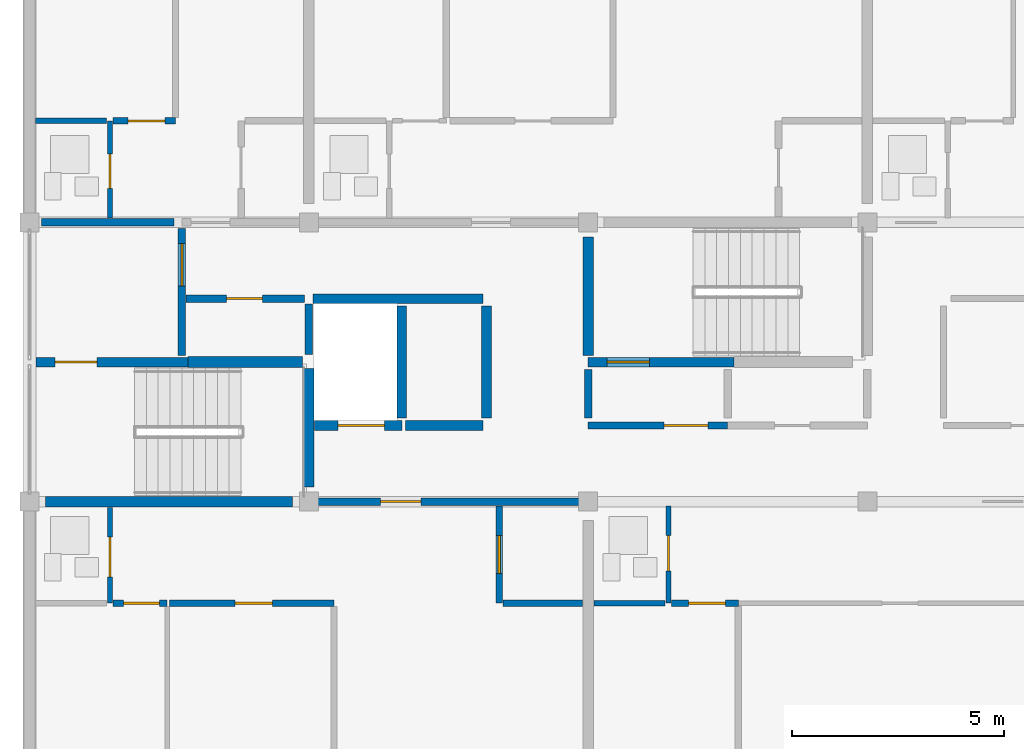
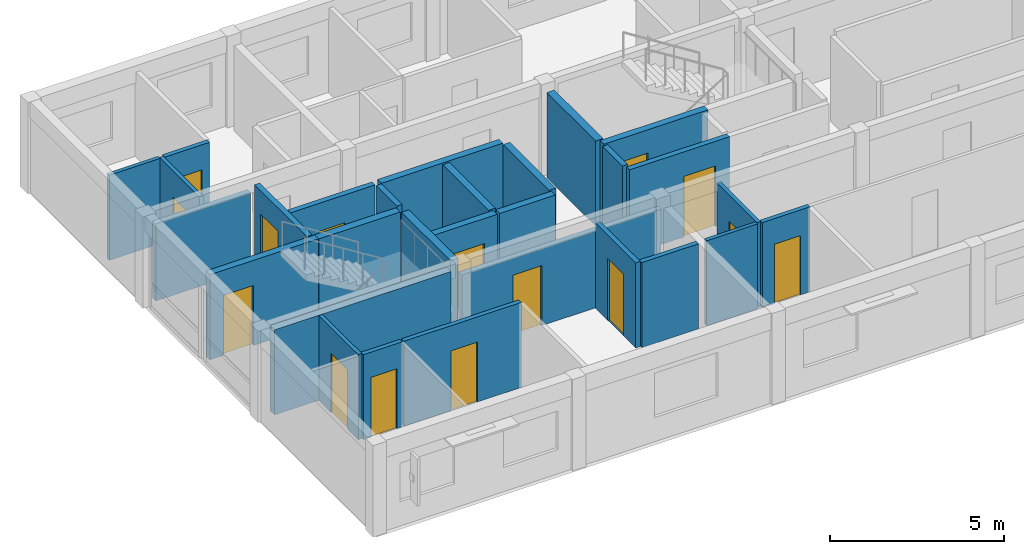
# One storey, part 9 of 22: 29 walls, 15 doors, 15 openings.
"""IFC4 building model written with IfcOpenShell, lengths in metres."""

from ifc_helpers import new_model, si_unit, direction, frame, frame_2d, origin, place, context, subcontext, project, spatial, rectangle, extrude, material, layer, layer_set, type_object, element, fill, save


model = new_model("IFC4")

# Units and contexts
model_context = context("Model", 3, precision=1e-05, world=origin(), true_north=direction((0.0, 1.0)))
body_context = subcontext(model_context, "Body", "Model", "MODEL_VIEW")
ifc_project = project(units=[si_unit("LENGTHUNIT", "METRE"), si_unit("AREAUNIT", "SQUARE_METRE"), si_unit("VOLUMEUNIT", "CUBIC_METRE"), si_unit("PLANEANGLEUNIT", "RADIAN"), si_unit("MASSUNIT", "GRAM", prefix="KILO")], contexts=[model_context])

# Site, building, storey
site_placement = place(None, origin())
site = spatial("IfcSite", under=ifc_project, at=site_placement, CompositionType="ELEMENT")
building_placement = place(site_placement, origin())
building = spatial("IfcBuilding", under=site, at=building_placement, Name="Kernevlak Ridge Housing Community", CompositionType="ELEMENT")
storey_placement = place(building_placement, frame((0.0, 0.0, 43.60009765625)))
storey = spatial("IfcBuildingStorey", under=building, at=storey_placement, Name="L13", CompositionType="ELEMENT", Elevation=43.60009765625)

# Wall, opening, door
ifc_material_1 = material(Name="Concrete C35/45", Category="concrete")
ifc_layer_1 = layer(ifc_material_1, 0.22509765625, Name="Concrete C35/45")
ifc_layer_set_1 = layer_set([ifc_layer_1], Name="Concrete C35/45")
wall_type_1 = type_object("IfcWallType", Name="PW-01", PredefinedType="STANDARD", material=ifc_layer_set_1)
wall_1_placement = place(storey_placement, frame((15.75, 85.89990234375, 0.0), z_axis=(0.0, 0.0, 1.0), x_axis=(1.0, 0.0, 0.0)))
wall_1 = element("IfcWall", 1, at=wall_1_placement, inside=storey, type_object=wall_type_1, Name="Interior wall PW-01 WAL-INT-L13-0819", PredefinedType="STANDARD", context=body_context, shape_type="SweptSolid", body=[
    extrude(rectangle(XDim=3.60009765625, YDim=0.22509765625, at=frame_2d((1.800048828125, 0.0))), origin(), (0.0, 0.0, 1.0), 2.97998046875),
])
opening_1_placement = place(wall_1_placement, frame((0.449951171875, 0.0, 0.0)))
opening_1 = element("IfcOpeningElement", 2, at=opening_1_placement, cuts=wall_1, Name="Opening D415", PredefinedType="OPENING", context=body_context, shape_type="SweptSolid", body=[
    extrude(rectangle(XDim=1.0, YDim=2.10009765625, at=frame_2d((0.5, 1.050048828125))), frame((0.0, 0.12255859375, 0.0), z_axis=(0.0, -1.0, 0.0), x_axis=(1.0, 0.0, 0.0)), (0.0, 0.0, 1.0), 0.2451171875),
])
ifc_material_2 = material(Name="Fire-rated sheet steel leaf", Category="steel")
door_type_1 = type_object("IfcDoorType", Name="DT-05", OperationType="NOTDEFINED", PredefinedType="DOOR", material=ifc_material_2)
door_1_placement = place(opening_1_placement, origin())
door_1 = element("IfcDoor", 3, at=door_1_placement, inside=storey, type_object=door_type_1, Name="Block A Stair 1 fire door D415", OperationType="SINGLE_SWING_LEFT", OverallHeight=2.10009765625, OverallWidth=1.0, PredefinedType="DOOR", context=body_context, shape_type="SweptSolid", body=[
    extrude(rectangle(XDim=1.0, YDim=2.10009765625, at=frame_2d((0.5, 1.050048828125))), frame((0.0, 0.02490234375, 0.0), z_axis=(0.0, -1.0, 0.0), x_axis=(1.0, 0.0, 0.0)), (0.0, 0.0, 1.0), 0.050048828125),
])
fill(opening_1, door_1)

wall_2_placement = place(storey_placement, frame((22.3349609375, 84.39990234375, 0.0), z_axis=(0.0, 0.0, 1.0), x_axis=(1.0, 0.0, 0.0)))
wall_2 = element("IfcWall", 4, at=wall_2_placement, inside=storey, type_object=wall_type_1, Name="Interior wall PW-01 WAL-INT-L13-0823", PredefinedType="STANDARD", context=body_context, shape_type="SweptSolid", body=[
    extrude(rectangle(XDim=2.06494140625, YDim=0.22509765625, at=frame_2d((1.032470703125, 0.0))), origin(), (0.0, 0.0, 1.0), 2.97998046875),
])
opening_2_placement = place(wall_2_placement, frame((0.550048828125, 0.0, 0.0)))
opening_2 = element("IfcOpeningElement", 5, at=opening_2_placement, cuts=wall_2, Name="Opening LD24", PredefinedType="OPENING", context=body_context, shape_type="SweptSolid", body=[
    extrude(rectangle(XDim=1.10009765625, YDim=2.10009765625, at=frame_2d((0.550048828125, 1.050048828125))), frame((0.0, 0.12255859375, 0.0), z_axis=(0.0, -1.0, 0.0), x_axis=(1.0, 0.0, 0.0)), (0.0, 0.0, 1.0), 0.2451171875),
])
ifc_material_3 = material(Name="Stainless steel EN 1.4401", Category="steel")
door_type_2 = type_object("IfcDoorType", Name="DT-LD1", OperationType="DOUBLE_DOOR_SLIDING", PredefinedType="DOOR", material=ifc_material_3)
door_2_placement = place(opening_2_placement, origin())
door_2 = element("IfcDoor", 6, at=door_2_placement, inside=storey, type_object=door_type_2, Name="Lift LF-A1 landing door LD24", OperationType="DOUBLE_DOOR_SLIDING", OverallHeight=2.10009765625, OverallWidth=1.10009765625, PredefinedType="DOOR", context=body_context, shape_type="SweptSolid", body=[
    extrude(rectangle(XDim=1.10009765625, YDim=2.10009765625, at=frame_2d((0.550048828125, 1.050048828125))), frame((0.0, 0.02490234375, 0.0), z_axis=(0.0, -1.0, 0.0), x_axis=(1.0, 0.0, 0.0)), (0.0, 0.0, 1.0), 0.050048828125),
])
fill(opening_2, door_2)

# Walls
wall_3_placement = place(storey_placement, frame((24.47998046875, 84.39990234375, 0.0), z_axis=(0.0, 0.0, 1.0), x_axis=(1.0, 0.0, 0.0)))
element("IfcWall", 7, at=wall_3_placement, inside=storey, type_object=wall_type_1, Name="Interior wall PW-01 WAL-INT-L13-0824", PredefinedType="STANDARD", context=body_context, shape_type="SweptSolid", body=[
    extrude(rectangle(XDim=1.840087890625, YDim=0.22509765625, at=frame_2d((0.919921875, 0.0))), origin(), (0.0, 0.0, 1.0), 2.97998046875),
])
wall_4_placement = place(storey_placement, frame((22.297607421875, 87.39990234375, 0.0), z_axis=(0.0, 0.0, 1.0), x_axis=(1.0, 0.0, 0.0)))
element("IfcWall", 8, at=wall_4_placement, inside=storey, type_object=wall_type_1, Name="Interior wall PW-01 WAL-INT-L13-0825", PredefinedType="STANDARD", context=body_context, shape_type="SweptSolid", body=[
    extrude(rectangle(XDim=4.0224609375, YDim=0.22509765625, at=frame_2d((2.01123046875, 0.0))), origin(), (0.0, 0.0, 1.0), 2.97998046875),
])
for number, where, z_axis, x_axis, name in (
    (9, (24.39990234375, 84.580078125, 0.0), (0.0, 0.0, 1.0), (0.0, 1.0, 0.0), "Interior wall PW-01 WAL-INT-L13-0827"),
    (10, (26.39990234375, 84.580078125, 0.0), (0.0, 0.0, 1.0), (0.0, 1.0, 0.0), "Interior wall PW-01 WAL-INT-L13-0828"),
):
    element("IfcWall", number, at=place(storey_placement, frame(where, z_axis=z_axis, x_axis=x_axis)), inside=storey, type_object=wall_type_1, Name=name, PredefinedType="STANDARD", context=body_context, shape_type="SweptSolid", body=[
        extrude(rectangle(XDim=2.639892578125, YDim=0.22509765625, at=frame_2d((1.31982421875, 0.0))), origin(), (0.0, 0.0, 1.0), 2.97998046875),
    ])

# Wall, opening, door
wall_5_placement = place(storey_placement, frame((28.800048828125, 85.89990234375, 0.0), z_axis=(0.0, 0.0, 1.0), x_axis=(1.0, 0.0, 0.0)))
wall_5 = element("IfcWall", 11, at=wall_5_placement, inside=storey, type_object=wall_type_1, Name="Interior wall PW-01 WAL-INT-L13-0829", PredefinedType="STANDARD", context=body_context, shape_type="SweptSolid", body=[
    extrude(rectangle(XDim=3.449951171875, YDim=0.22509765625, at=frame_2d((1.72509765625, 0.0))), origin(), (0.0, 0.0, 1.0), 2.97998046875),
])
opening_3_placement = place(wall_5_placement, frame((0.449951171875, 0.0, 0.0)))
opening_3 = element("IfcOpeningElement", 12, at=opening_3_placement, cuts=wall_5, Name="Opening D418", PredefinedType="OPENING", context=body_context, shape_type="SweptSolid", body=[
    extrude(rectangle(XDim=1.0, YDim=2.159912109375, at=frame_2d((0.5, 1.080078125))), frame((0.0, 0.12255859375, 0.0), z_axis=(0.0, -1.0, 0.0), x_axis=(1.0, 0.0, 0.0)), (0.0, 0.0, 1.0), 0.2451171875),
])
door_type_3 = type_object("IfcDoorType", Name="DT-15", OperationType="NOTDEFINED", PredefinedType="DOOR", material=ifc_material_2)
door_3_placement = place(opening_3_placement, origin())
door_3 = element("IfcDoor", 13, at=door_3_placement, inside=storey, type_object=door_type_3, Name="Block A Stair 2 fire door D418", OperationType="SINGLE_SWING_RIGHT", OverallHeight=2.159912109375, OverallWidth=1.0, PredefinedType="DOOR", context=body_context, shape_type="SweptSolid", body=[
    extrude(rectangle(XDim=1.0, YDim=2.159912109375, at=frame_2d((0.5, 1.080078125))), frame((0.0, 0.02490234375, 0.0), z_axis=(0.0, -1.0, 0.0), x_axis=(1.0, 0.0, 0.0)), (0.0, 0.0, 1.0), 0.050048828125),
])
fill(opening_3, door_3)

ifc_material_4 = material(Name="Concrete block masonry M10", Category="masonry")
ifc_layer_2 = layer(ifc_material_4, 0.175048828125, Name="Concrete block masonry M10")
ifc_layer_set_2 = layer_set([ifc_layer_2], Name="Concrete block masonry M10")
wall_type_2 = type_object("IfcWallType", Name="PW-02", PredefinedType="PARTITIONING", material=ifc_layer_set_2)
wall_6_placement = place(storey_placement, frame((19.199951171875, 86.050048828125, 0.0), z_axis=(0.0, 0.0, 1.0), x_axis=(0.0, 1.0, 0.0)))
wall_6 = element("IfcWall", 14, at=wall_6_placement, inside=storey, type_object=wall_type_2, Name="Interior wall PW-02 WAL-INT-L13-0820", PredefinedType="PARTITIONING", context=body_context, shape_type="SweptSolid", body=[
    extrude(rectangle(XDim=3.0, YDim=0.175048828125, at=frame_2d((1.5, 0.0))), origin(), (0.0, 0.0, 1.0), 2.97998046875),
])
opening_4_placement = place(wall_6_placement, frame((1.64990234375, 0.0, 0.0)))
opening_4 = element("IfcOpeningElement", 15, at=opening_4_placement, cuts=wall_6, Name="Opening D416", PredefinedType="OPENING", context=body_context, shape_type="SweptSolid", body=[
    extrude(rectangle(XDim=1.0, YDim=2.159912109375, at=frame_2d((0.5, 1.080078125))), frame((0.0, 0.097412109375, 0.0), z_axis=(0.0, -1.0, 0.0), x_axis=(1.0, 0.0, 0.0)), (0.0, 0.0, 1.0), 0.195068359375),
])
door_4_placement = place(opening_4_placement, origin())
door_4 = element("IfcDoor", 16, at=door_4_placement, inside=storey, type_object=door_type_3, Name="Block A Firefighting lobby 1 door D416", OperationType="SINGLE_SWING_RIGHT", OverallHeight=2.159912109375, OverallWidth=1.0, PredefinedType="DOOR", context=body_context, shape_type="SweptSolid", body=[
    extrude(rectangle(XDim=1.0, YDim=2.159912109375, at=frame_2d((0.5, 1.080078125))), frame((0.0, 0.02490234375, 0.0), z_axis=(0.0, -1.0, 0.0), x_axis=(1.0, 0.0, 0.0)), (0.0, 0.0, 1.0), 0.050048828125),
])
fill(opening_4, door_4)

wall_7_placement = place(storey_placement, frame((19.300048828125, 87.39990234375, 0.0), z_axis=(0.0, 0.0, 1.0), x_axis=(1.0, 0.0, 0.0)))
wall_7 = element("IfcWall", 17, at=wall_7_placement, inside=storey, type_object=wall_type_2, Name="Interior wall PW-02 WAL-INT-L13-0821", PredefinedType="PARTITIONING", context=body_context, shape_type="SweptSolid", body=[
    extrude(rectangle(XDim=2.800048828125, YDim=0.175048828125, at=frame_2d((1.39990234375, 0.0))), origin(), (0.0, 0.0, 1.0), 2.97998046875),
])
opening_5_placement = place(wall_7_placement, frame((0.949951171875, 0.0, 0.0)))
opening_5 = element("IfcOpeningElement", 18, at=opening_5_placement, cuts=wall_7, Name="Opening D417", PredefinedType="OPENING", context=body_context, shape_type="SweptSolid", body=[
    extrude(rectangle(XDim=0.85009765625, YDim=2.0, at=frame_2d((0.425048828125, 1.0))), frame((0.0, 0.097412109375, 0.0), z_axis=(0.0, -1.0, 0.0), x_axis=(1.0, 0.0, 0.0)), (0.0, 0.0, 1.0), 0.195068359375),
])
door_type_4 = type_object("IfcDoorType", Name="DT-07", OperationType="NOTDEFINED", PredefinedType="DOOR", material=ifc_material_2)
door_5_placement = place(opening_5_placement, origin())
door_5 = element("IfcDoor", 19, at=door_5_placement, inside=storey, type_object=door_type_4, Name="Block A Riser shaft door D417", OperationType="SINGLE_SWING_LEFT", OverallHeight=2.0, OverallWidth=0.85009765625, PredefinedType="DOOR", context=body_context, shape_type="SweptSolid", body=[
    extrude(rectangle(XDim=0.85009765625, YDim=2.0, at=frame_2d((0.425048828125, 1.0))), frame((0.0, 0.02490234375, 0.0), z_axis=(0.0, -1.0, 0.0), x_axis=(1.0, 0.0, 0.0)), (0.0, 0.0, 1.0), 0.050048828125),
])
fill(opening_5, door_5)

# Wall
wall_8_placement = place(storey_placement, frame((22.199951171875, 86.080078125, 0.0), z_axis=(0.0, 0.0, 1.0), x_axis=(0.0, 1.0, 0.0)))
element("IfcWall", 20, at=wall_8_placement, inside=storey, type_object=wall_type_2, Name="Interior wall PW-02 WAL-INT-L13-0822", PredefinedType="PARTITIONING", context=body_context, shape_type="SweptSolid", body=[
    extrude(rectangle(XDim=1.18994140625, YDim=0.175048828125, at=frame_2d((0.594970703125, 0.0))), origin(), (0.0, 0.0, 1.0), 2.97998046875),
])

# Wall, opening, door
wall_9_placement = place(storey_placement, frame((28.800048828125, 84.39990234375, 0.0), z_axis=(0.0, 0.0, 1.0), x_axis=(1.0, 0.0, 0.0)))
wall_9 = element("IfcWall", 21, at=wall_9_placement, inside=storey, type_object=wall_type_2, Name="Interior wall PW-02 WAL-INT-L13-0830", PredefinedType="PARTITIONING", context=body_context, shape_type="SweptSolid", body=[
    extrude(rectangle(XDim=3.300048828125, YDim=0.175048828125, at=frame_2d((1.64990234375, 0.0))), origin(), (0.0, 0.0, 1.0), 2.97998046875),
])
opening_6_placement = place(wall_9_placement, frame((1.800048828125, 0.0, 0.0)))
opening_6 = element("IfcOpeningElement", 22, at=opening_6_placement, cuts=wall_9, Name="Opening D419", PredefinedType="OPENING", context=body_context, shape_type="SweptSolid", body=[
    extrude(rectangle(XDim=1.0400390625, YDim=2.1201171875, at=frame_2d((0.52001953125, 1.06005859375))), frame((0.0, 0.097412109375, 0.0), z_axis=(0.0, -1.0, 0.0), x_axis=(1.0, 0.0, 0.0)), (0.0, 0.0, 1.0), 0.195068359375),
])
door_type_5 = type_object("IfcDoorType", Name="DT-16", OperationType="NOTDEFINED", PredefinedType="DOOR", material=ifc_material_2)
door_6_placement = place(opening_6_placement, origin())
door_6 = element("IfcDoor", 23, at=door_6_placement, inside=storey, type_object=door_type_5, Name="Block A Firefighting lobby 2 door D419", OperationType="SINGLE_SWING_LEFT", OverallHeight=2.1201171875, OverallWidth=1.0400390625, PredefinedType="DOOR", context=body_context, shape_type="SweptSolid", body=[
    extrude(rectangle(XDim=1.0400390625, YDim=2.1201171875, at=frame_2d((0.52001953125, 1.06005859375))), frame((0.0, 0.02490234375, 0.0), z_axis=(0.0, -1.0, 0.0), x_axis=(1.0, 0.0, 0.0)), (0.0, 0.0, 1.0), 0.050048828125),
])
fill(opening_6, door_6)

# Wall
wall_10_placement = place(storey_placement, frame((28.800048828125, 84.580078125, 0.0), z_axis=(0.0, 0.0, 1.0), x_axis=(0.0, 1.0, 0.0)))
element("IfcWall", 24, at=wall_10_placement, inside=storey, type_object=wall_type_2, Name="Interior wall PW-02 WAL-INT-L13-0832", PredefinedType="PARTITIONING", context=body_context, shape_type="SweptSolid", body=[
    extrude(rectangle(XDim=1.139892578125, YDim=0.175048828125, at=frame_2d((0.56982421875, 0.0))), origin(), (0.0, 0.0, 1.0), 2.97998046875),
])

# Wall, opening, door
wall_11_placement = place(storey_placement, frame((22.199951171875, 82.60009765625, 0.0), z_axis=(0.0, 0.0, 1.0), x_axis=(1.0, 0.0, 0.0)))
wall_11 = element("IfcWall", 25, at=wall_11_placement, inside=storey, type_object=wall_type_2, Name="Interior wall PW-02 WAL-INT-L13-0840", PredefinedType="PARTITIONING", context=body_context, shape_type="SweptSolid", body=[
    extrude(rectangle(XDim=6.60009765625, YDim=0.175048828125, at=frame_2d((3.300048828125, 0.0))), origin(), (0.0, 0.0, 1.0), 2.699951171875),
])
opening_7_placement = place(wall_11_placement, frame((1.699951171875, 0.0, 0.0)))
opening_7 = element("IfcOpeningElement", 26, at=opening_7_placement, cuts=wall_11, Name="Opening D423", PredefinedType="OPENING", context=body_context, shape_type="SweptSolid", body=[
    extrude(rectangle(XDim=0.949951171875, YDim=2.10009765625, at=frame_2d((0.47509765625, 1.050048828125))), frame((0.0, 0.097412109375, 0.0), z_axis=(0.0, -1.0, 0.0), x_axis=(1.0, 0.0, 0.0)), (0.0, 0.0, 1.0), 0.195068359375),
])
ifc_material_5 = material(Name="Hardwood timber solid-core fire leaf", Category="wood")
door_type_6 = type_object("IfcDoorType", Name="DT-01", OperationType="NOTDEFINED", PredefinedType="DOOR", material=ifc_material_5)
door_7_placement = place(opening_7_placement, origin())
door_7 = element("IfcDoor", 27, at=door_7_placement, inside=storey, type_object=door_type_6, Name="Flat A1311 entrance fire door D423", OperationType="SINGLE_SWING_LEFT", OverallHeight=2.10009765625, OverallWidth=0.949951171875, PredefinedType="DOOR", context=body_context, shape_type="SweptSolid", body=[
    extrude(rectangle(XDim=0.949951171875, YDim=2.10009765625, at=frame_2d((0.47509765625, 1.050048828125))), frame((0.0, 0.02490234375, 0.0), z_axis=(0.0, -1.0, 0.0), x_axis=(1.0, 0.0, 0.0)), (0.0, 0.0, 1.0), 0.050048828125),
])
fill(opening_7, door_7)

# Wall
wall_12_placement = place(storey_placement, frame((15.8798828125, 89.199951171875, 0.0), z_axis=(0.0, 0.0, 1.0), x_axis=(1.0, 0.0, 0.0)))
element("IfcWall", 28, at=wall_12_placement, inside=storey, type_object=wall_type_2, Name="Interior wall PW-02 WAL-INT-L13-0858", PredefinedType="PARTITIONING", context=body_context, shape_type="SweptSolid", body=[
    extrude(rectangle(XDim=3.14013671875, YDim=0.175048828125, at=frame_2d((1.570068359375, 0.0))), origin(), (0.0, 0.0, 1.0), 2.699951171875),
])

# Wall, opening, door
ifc_layer_3 = layer(ifc_material_4, 0.14501953125, Name="Concrete block masonry M10")
ifc_layer_set_3 = layer_set([ifc_layer_3], Name="Concrete block masonry M10")
wall_type_3 = type_object("IfcWallType", Name="PW-03", PredefinedType="PARTITIONING", material=ifc_layer_set_3)
wall_13_placement = place(storey_placement, frame((17.572509765625, 80.199951171875, 0.0), z_axis=(0.0, 0.0, 1.0), x_axis=(1.0, 0.0, 0.0)))
wall_13 = element("IfcWall", 29, at=wall_13_placement, inside=storey, type_object=wall_type_3, Name="Interior wall PW-03 WAL-INT-L13-0845", PredefinedType="PARTITIONING", context=body_context, shape_type="SweptSolid", body=[
    extrude(rectangle(XDim=1.277587890625, YDim=0.14501953125, at=frame_2d((0.638671875, 0.0))), origin(), (0.0, 0.0, 1.0), 2.97998046875),
])
opening_8_placement = place(wall_13_placement, frame((0.25, 0.0, 0.0)))
opening_8 = element("IfcOpeningElement", 30, at=opening_8_placement, cuts=wall_13, Name="Opening D426", PredefinedType="OPENING", context=body_context, shape_type="SweptSolid", body=[
    extrude(rectangle(XDim=0.85009765625, YDim=2.10009765625, at=frame_2d((0.425048828125, 1.050048828125))), frame((0.0, 0.08251953125, 0.0), z_axis=(0.0, -1.0, 0.0), x_axis=(1.0, 0.0, 0.0)), (0.0, 0.0, 1.0), 0.1650390625),
])
ifc_material_6 = material(Name="Hardwood timber leaf", Category="wood")
door_type_7 = type_object("IfcDoorType", Name="DT-03", OperationType="NOTDEFINED", PredefinedType="DOOR", material=ifc_material_6)
door_8_placement = place(opening_8_placement, origin())
door_8 = element("IfcDoor", 31, at=door_8_placement, inside=storey, type_object=door_type_7, Name="Flat A1311 bedroom door D426", OperationType="SINGLE_SWING_RIGHT", OverallHeight=2.10009765625, OverallWidth=0.85009765625, PredefinedType="DOOR", context=body_context, shape_type="SweptSolid", body=[
    extrude(rectangle(XDim=0.85009765625, YDim=2.10009765625, at=frame_2d((0.425048828125, 1.050048828125))), frame((0.0, 0.02490234375, 0.0), z_axis=(0.0, -1.0, 0.0), x_axis=(1.0, 0.0, 0.0)), (0.0, 0.0, 1.0), 0.050048828125),
])
fill(opening_8, door_8)

wall_14_placement = place(storey_placement, frame((18.91259765625, 80.199951171875, 0.0), z_axis=(0.0, 0.0, 1.0), x_axis=(1.0, 0.0, 0.0)))
wall_14 = element("IfcWall", 32, at=wall_14_placement, inside=storey, type_object=wall_type_3, Name="Interior wall PW-03 WAL-INT-L13-0847", PredefinedType="PARTITIONING", context=body_context, shape_type="SweptSolid", body=[
    extrude(rectangle(XDim=3.87939453125, YDim=0.14501953125, at=frame_2d((1.939697265625, 0.0))), origin(), (0.0, 0.0, 1.0), 2.97998046875),
])
opening_9_placement = place(wall_14_placement, frame((1.5458984375, 0.0, 0.0)))
opening_9 = element("IfcOpeningElement", 33, at=opening_9_placement, cuts=wall_14, Name="Opening D427", PredefinedType="OPENING", context=body_context, shape_type="SweptSolid", body=[
    extrude(rectangle(XDim=0.8798828125, YDim=2.10009765625, at=frame_2d((0.43994140625, 1.050048828125))), frame((0.0, 0.08251953125, 0.0), z_axis=(0.0, -1.0, 0.0), x_axis=(1.0, 0.0, 0.0)), (0.0, 0.0, 1.0), 0.1650390625),
])
door_type_8 = type_object("IfcDoorType", Name="DT-25", OperationType="NOTDEFINED", PredefinedType="DOOR", material=ifc_material_6)
door_9_placement = place(opening_9_placement, origin())
door_9 = element("IfcDoor", 34, at=door_9_placement, inside=storey, type_object=door_type_8, Name="Flat A1311 bedroom door D427", OperationType="SINGLE_SWING_LEFT", OverallHeight=2.10009765625, OverallWidth=0.8798828125, PredefinedType="DOOR", context=body_context, shape_type="SweptSolid", body=[
    extrude(rectangle(XDim=0.8798828125, YDim=2.10009765625, at=frame_2d((0.43994140625, 1.050048828125))), frame((0.0, 0.02490234375, 0.0), z_axis=(0.0, -1.0, 0.0), x_axis=(1.0, 0.0, 0.0)), (0.0, 0.0, 1.0), 0.050048828125),
])
fill(opening_9, door_9)

wall_15_placement = place(storey_placement, frame((30.7724609375, 80.199951171875, 0.0), z_axis=(0.0, 0.0, 1.0), x_axis=(1.0, 0.0, 0.0)))
wall_15 = element("IfcWall", 35, at=wall_15_placement, inside=storey, type_object=wall_type_3, Name="Interior wall PW-03 WAL-INT-L13-0854", PredefinedType="PARTITIONING", context=body_context, shape_type="SweptSolid", body=[
    extrude(rectangle(XDim=1.57763671875, YDim=0.14501953125, at=frame_2d((0.788818359375, 0.0))), origin(), (0.0, 0.0, 1.0), 2.97998046875),
])
opening_10_placement = place(wall_15_placement, frame((0.39990234375, 0.0, 0.0)))
opening_10 = element("IfcOpeningElement", 36, at=opening_10_placement, cuts=wall_15, Name="Opening D431", PredefinedType="OPENING", context=body_context, shape_type="SweptSolid", body=[
    extrude(rectangle(XDim=0.8701171875, YDim=2.080078125, at=frame_2d((0.43505859375, 1.0400390625))), frame((0.0, 0.08251953125, 0.0), z_axis=(0.0, -1.0, 0.0), x_axis=(1.0, 0.0, 0.0)), (0.0, 0.0, 1.0), 0.1650390625),
])
door_type_9 = type_object("IfcDoorType", Name="DT-32", OperationType="NOTDEFINED", PredefinedType="DOOR", material=ifc_material_6)
door_10_placement = place(opening_10_placement, origin())
door_10 = element("IfcDoor", 37, at=door_10_placement, inside=storey, type_object=door_type_9, Name="Flat A1312 bedroom door D431", OperationType="SINGLE_SWING_LEFT", OverallHeight=2.080078125, OverallWidth=0.8701171875, PredefinedType="DOOR", context=body_context, shape_type="SweptSolid", body=[
    extrude(rectangle(XDim=0.8701171875, YDim=2.080078125, at=frame_2d((0.43505859375, 1.0400390625))), frame((0.0, 0.02490234375, 0.0), z_axis=(0.0, -1.0, 0.0), x_axis=(1.0, 0.0, 0.0)), (0.0, 0.0, 1.0), 0.050048828125),
])
fill(opening_10, door_10)

wall_16_placement = place(storey_placement, frame((17.572509765625, 91.60009765625, 0.0), z_axis=(0.0, 0.0, 1.0), x_axis=(1.0, 0.0, 0.0)))
wall_16 = element("IfcWall", 38, at=wall_16_placement, inside=storey, type_object=wall_type_3, Name="Interior wall PW-03 WAL-INT-L13-0864", PredefinedType="PARTITIONING", context=body_context, shape_type="SweptSolid", body=[
    extrude(rectangle(XDim=1.4775390625, YDim=0.14501953125, at=frame_2d((0.73876953125, 0.0))), origin(), (0.0, 0.0, 1.0), 2.97998046875),
])
opening_11_placement = place(wall_16_placement, frame((0.35009765625, 0.0, 0.0)))
opening_11 = element("IfcOpeningElement", 39, at=opening_11_placement, cuts=wall_16, Name="Opening D436", PredefinedType="OPENING", context=body_context, shape_type="SweptSolid", body=[
    extrude(rectangle(XDim=0.8798828125, YDim=2.10009765625, at=frame_2d((0.43994140625, 1.050048828125))), frame((0.0, 0.08251953125, 0.0), z_axis=(0.0, -1.0, 0.0), x_axis=(1.0, 0.0, 0.0)), (0.0, 0.0, 1.0), 0.1650390625),
])
door_11_placement = place(opening_11_placement, origin())
door_11 = element("IfcDoor", 40, at=door_11_placement, inside=storey, type_object=door_type_8, Name="Flat A1321 bedroom door D436", OperationType="SINGLE_SWING_RIGHT", OverallHeight=2.10009765625, OverallWidth=0.8798828125, PredefinedType="DOOR", context=body_context, shape_type="SweptSolid", body=[
    extrude(rectangle(XDim=0.8798828125, YDim=2.10009765625, at=frame_2d((0.43994140625, 1.050048828125))), frame((0.0, 0.02490234375, 0.0), z_axis=(0.0, -1.0, 0.0), x_axis=(1.0, 0.0, 0.0)), (0.0, 0.0, 1.0), 0.050048828125),
])
fill(opening_11, door_11)

ifc_material_7 = material(Name="Gypsum plasterboard EN 520", Category="gypsum")
ifc_layer_4 = layer(ifc_material_7, 0.125, Name="Gypsum plasterboard EN 520")
ifc_layer_set_4 = layer_set([ifc_layer_4], Name="Gypsum plasterboard EN 520")
wall_type_4 = type_object("IfcWallType", Name="PW-04", PredefinedType="PARTITIONING", material=ifc_layer_set_4)
wall_17_placement = place(storey_placement, frame((17.5, 82.465087890625, 0.0), z_axis=(0.0, 0.0, 1.0), x_axis=(0.0, -1.0, 0.0)))
wall_17 = element("IfcWall", 41, at=wall_17_placement, inside=storey, type_object=wall_type_4, Name="Interior wall PW-04 WAL-INT-L13-0841", PredefinedType="PARTITIONING", context=body_context, shape_type="SweptSolid", body=[
    extrude(rectangle(XDim=2.26513671875, YDim=0.125, at=frame_2d((1.132568359375, 0.0))), origin(), (0.0, 0.0, 1.0), 2.97998046875),
])
opening_12_placement = place(wall_17_placement, frame((0.699951171875, 0.0, 0.0)))
opening_12 = element("IfcOpeningElement", 42, at=opening_12_placement, cuts=wall_17, Name="Opening D424", PredefinedType="OPENING", context=body_context, shape_type="SweptSolid", body=[
    extrude(rectangle(XDim=0.93994140625, YDim=2.080078125, at=frame_2d((0.469970703125, 1.0400390625))), frame((0.0, 0.072509765625, 0.0), z_axis=(0.0, -1.0, 0.0), x_axis=(1.0, 0.0, 0.0)), (0.0, 0.0, 1.0), 0.14501953125),
])
ifc_material_8 = material(Name="Hardwood timber moisture-resistant leaf", Category="wood")
door_type_10 = type_object("IfcDoorType", Name="DT-23", OperationType="NOTDEFINED", PredefinedType="DOOR", material=ifc_material_8)
door_12_placement = place(opening_12_placement, origin())
door_12 = element("IfcDoor", 43, at=door_12_placement, inside=storey, type_object=door_type_10, Name="Flat A1311 bathroom door D424", OperationType="SINGLE_SWING_RIGHT", OverallHeight=2.080078125, OverallWidth=0.93994140625, PredefinedType="DOOR", context=body_context, shape_type="SweptSolid", body=[
    extrude(rectangle(XDim=0.93994140625, YDim=2.080078125, at=frame_2d((0.469970703125, 1.0400390625))), frame((0.0, 0.02490234375, 0.0), z_axis=(0.0, -1.0, 0.0), x_axis=(1.0, 0.0, 0.0)), (0.0, 0.0, 1.0), 0.050048828125),
])
fill(opening_12, door_12)

wall_18_placement = place(storey_placement, frame((30.699951171875, 82.50244140625, 0.0), z_axis=(0.0, 0.0, 1.0), x_axis=(0.0, -1.0, 0.0)))
wall_18 = element("IfcWall", 44, at=wall_18_placement, inside=storey, type_object=wall_type_4, Name="Interior wall PW-04 WAL-INT-L13-0850", PredefinedType="PARTITIONING", context=body_context, shape_type="SweptSolid", body=[
    extrude(rectangle(XDim=2.302490234375, YDim=0.125, at=frame_2d((1.1513671875, 0.0))), origin(), (0.0, 0.0, 1.0), 2.97998046875),
])
opening_13_placement = place(wall_18_placement, frame((0.699951171875, 0.0, 0.0)))
opening_13 = element("IfcOpeningElement", 45, at=opening_13_placement, cuts=wall_18, Name="Opening D429", PredefinedType="OPENING", context=body_context, shape_type="SweptSolid", body=[
    extrude(rectangle(XDim=0.840087890625, YDim=2.06005859375, at=frame_2d((0.419921875, 1.030029296875))), frame((0.0, 0.072509765625, 0.0), z_axis=(0.0, -1.0, 0.0), x_axis=(1.0, 0.0, 0.0)), (0.0, 0.0, 1.0), 0.14501953125),
])
door_type_11 = type_object("IfcDoorType", Name="DT-27", OperationType="NOTDEFINED", PredefinedType="DOOR", material=ifc_material_8)
door_13_placement = place(opening_13_placement, origin())
door_13 = element("IfcDoor", 46, at=door_13_placement, inside=storey, type_object=door_type_11, Name="Flat A1312 bathroom door D429", OperationType="SINGLE_SWING_LEFT", OverallHeight=2.06005859375, OverallWidth=0.840087890625, PredefinedType="DOOR", context=body_context, shape_type="SweptSolid", body=[
    extrude(rectangle(XDim=0.840087890625, YDim=2.06005859375, at=frame_2d((0.419921875, 1.030029296875))), frame((0.0, 0.02490234375, 0.0), z_axis=(0.0, -1.0, 0.0), x_axis=(1.0, 0.0, 0.0)), (0.0, 0.0, 1.0), 0.050048828125),
])
fill(opening_13, door_13)

# Wall
wall_19_placement = place(storey_placement, frame((28.93505859375, 80.199951171875, 0.0), z_axis=(0.0, 0.0, 1.0), x_axis=(1.0, 0.0, 0.0)))
element("IfcWall", 47, at=wall_19_placement, inside=storey, type_object=wall_type_4, Name="Interior wall PW-04 WAL-INT-L13-0851", PredefinedType="PARTITIONING", context=body_context, shape_type="SweptSolid", body=[
    extrude(rectangle(XDim=1.68505859375, YDim=0.125, at=frame_2d((0.842529296875, 0.0))), origin(), (0.0, 0.0, 1.0), 2.97998046875),
])

# Wall, opening, door
wall_20_placement = place(storey_placement, frame((17.5, 89.297607421875, 0.0), z_axis=(0.0, 0.0, 1.0), x_axis=(0.0, 1.0, 0.0)))
wall_20 = element("IfcWall", 48, at=wall_20_placement, inside=storey, type_object=wall_type_4, Name="Interior wall PW-04 WAL-INT-L13-0860", PredefinedType="PARTITIONING", context=body_context, shape_type="SweptSolid", body=[
    extrude(rectangle(XDim=2.302490234375, YDim=0.125, at=frame_2d((1.1513671875, 0.0))), origin(), (0.0, 0.0, 1.0), 2.97998046875),
])
opening_14_placement = place(wall_20_placement, frame((0.699951171875, 0.0, 0.0)))
opening_14 = element("IfcOpeningElement", 49, at=opening_14_placement, cuts=wall_20, Name="Opening D434", PredefinedType="OPENING", context=body_context, shape_type="SweptSolid", body=[
    extrude(rectangle(XDim=0.820068359375, YDim=2.050048828125, at=frame_2d((0.41015625, 1.02490234375))), frame((0.0, 0.072509765625, 0.0), z_axis=(0.0, -1.0, 0.0), x_axis=(1.0, 0.0, 0.0)), (0.0, 0.0, 1.0), 0.14501953125),
])
door_type_12 = type_object("IfcDoorType", Name="DT-30", OperationType="NOTDEFINED", PredefinedType="DOOR", material=ifc_material_8)
door_14_placement = place(opening_14_placement, origin())
door_14 = element("IfcDoor", 50, at=door_14_placement, inside=storey, type_object=door_type_12, Name="Flat A1321 bathroom door D434", OperationType="SINGLE_SWING_RIGHT", OverallHeight=2.050048828125, OverallWidth=0.820068359375, PredefinedType="DOOR", context=body_context, shape_type="SweptSolid", body=[
    extrude(rectangle(XDim=0.820068359375, YDim=2.050048828125, at=frame_2d((0.41015625, 1.02490234375))), frame((0.0, 0.02490234375, 0.0), z_axis=(0.0, -1.0, 0.0), x_axis=(1.0, 0.0, 0.0)), (0.0, 0.0, 1.0), 0.050048828125),
])
fill(opening_14, door_14)

# Wall
wall_21_placement = place(storey_placement, frame((15.739990234375, 91.60009765625, 0.0), z_axis=(0.0, 0.0, 1.0), x_axis=(1.0, 0.0, 0.0)))
element("IfcWall", 51, at=wall_21_placement, inside=storey, type_object=wall_type_4, Name="Interior wall PW-04 WAL-INT-L13-0861", PredefinedType="PARTITIONING", context=body_context, shape_type="SweptSolid", body=[
    extrude(rectangle(XDim=1.679931640625, YDim=0.125, at=frame_2d((0.83984375, 0.0))), origin(), (0.0, 0.0, 1.0), 2.97998046875),
])

# Wall, opening, door
ifc_layer_5 = layer(ifc_material_7, 0.155029296875, Name="Gypsum plasterboard EN 520")
ifc_layer_set_5 = layer_set([ifc_layer_5], Name="Gypsum plasterboard EN 520")
wall_type_5 = type_object("IfcWallType", Name="PW-05", PredefinedType="PARTITIONING", material=ifc_layer_set_5)
wall_22_placement = place(storey_placement, frame((26.699951171875, 82.50244140625, 0.0), z_axis=(0.0, 0.0, 1.0), x_axis=(0.0, -1.0, 0.0)))
wall_22 = element("IfcWall", 52, at=wall_22_placement, inside=storey, type_object=wall_type_5, Name="Interior wall PW-05 WAL-INT-L13-0843", PredefinedType="PARTITIONING", context=body_context, shape_type="SweptSolid", body=[
    extrude(rectangle(XDim=2.302490234375, YDim=0.155029296875, at=frame_2d((1.1513671875, 0.0))), origin(), (0.0, 0.0, 1.0), 2.97998046875),
])
opening_15_placement = place(wall_22_placement, frame((0.699951171875, 0.0, 0.0)))
opening_15 = element("IfcOpeningElement", 53, at=opening_15_placement, cuts=wall_22, Name="Opening D425", PredefinedType="OPENING", context=body_context, shape_type="SweptSolid", body=[
    extrude(rectangle(XDim=0.89990234375, YDim=2.159912109375, at=frame_2d((0.449951171875, 1.080078125))), frame((0.0, 0.08740234375, 0.0), z_axis=(0.0, -1.0, 0.0), x_axis=(1.0, 0.0, 0.0)), (0.0, 0.0, 1.0), 0.175048828125),
])
door_type_13 = type_object("IfcDoorType", Name="DT-22", OperationType="NOTDEFINED", PredefinedType="DOOR", material=ifc_material_6)
door_15_placement = place(opening_15_placement, origin())
door_15 = element("IfcDoor", 54, at=door_15_placement, inside=storey, type_object=door_type_13, Name="Flat A1311 kitchen door D425", OperationType="SINGLE_SWING_LEFT", OverallHeight=2.159912109375, OverallWidth=0.89990234375, PredefinedType="DOOR", context=body_context, shape_type="SweptSolid", body=[
    extrude(rectangle(XDim=0.89990234375, YDim=2.159912109375, at=frame_2d((0.449951171875, 1.080078125))), frame((0.0, 0.02490234375, 0.0), z_axis=(0.0, -1.0, 0.0), x_axis=(1.0, 0.0, 0.0)), (0.0, 0.0, 1.0), 0.050048828125),
])
fill(opening_15, door_15)

# Walls
wall_23_placement = place(storey_placement, frame((26.78759765625, 80.199951171875, 0.0), z_axis=(0.0, 0.0, 1.0), x_axis=(1.0, 0.0, 0.0)))
element("IfcWall", 55, at=wall_23_placement, inside=storey, type_object=wall_type_5, Name="Interior wall PW-05 WAL-INT-L13-0844", PredefinedType="PARTITIONING", context=body_context, shape_type="SweptSolid", body=[
    extrude(rectangle(XDim=1.87744140625, YDim=0.155029296875, at=frame_2d((0.938720703125, 0.0))), origin(), (0.0, 0.0, 1.0), 2.97998046875),
])
ifc_material_9 = material(Name="Concrete C40/50", Category="concrete")
ifc_layer_6 = layer(ifc_material_9, 0.25, Name="Concrete C40/50")
ifc_layer_set_6 = layer_set([ifc_layer_6], Name="Concrete C40/50")
wall_type_6 = type_object("IfcWallType", Name="SW-03", PredefinedType="SHEAR", material=ifc_layer_set_6)
wall_24_placement = place(storey_placement, frame((15.97998046875, 82.60009765625, 0.0), z_axis=(0.0, 0.0, 1.0), x_axis=(1.0, 0.0, 0.0)))
element("IfcWall", 56, at=wall_24_placement, inside=storey, type_object=wall_type_6, Name="Shear wall SW-03 Block A L13 141", PredefinedType="SHEAR", context=body_context, shape_type="SweptSolid", body=[
    extrude(rectangle(XDim=5.840087890625, YDim=0.25, at=frame_2d((2.919921875, 0.0))), origin(), (0.0, 0.0, 1.0), 2.97998046875),
])
wall_25_placement = place(storey_placement, frame((19.35009765625, 85.89990234375, 0.0), z_axis=(0.0, 0.0, 1.0), x_axis=(1.0, 0.0, 0.0)))
element("IfcWall", 57, at=wall_25_placement, inside=storey, type_object=wall_type_6, Name="Shear wall SW-03 Block A L13 142", PredefinedType="SHEAR", context=body_context, shape_type="SweptSolid", body=[
    extrude(rectangle(XDim=2.699951171875, YDim=0.25, at=frame_2d((1.35009765625, 0.0))), origin(), (0.0, 0.0, 1.0), 2.97998046875),
])
for number, where, z_axis, x_axis, name in (
    (58, (22.199951171875, 82.949951171875, 0.0), (0.0, 0.0, 1.0), (0.0, 1.0, 0.0), "Shear wall SW-03 Block A L13 143"),
    (59, (28.800048828125, 86.050048828125, 0.0), (0.0, 0.0, 1.0), (0.0, 1.0, 0.0), "Shear wall SW-03 Block A L13 146"),
):
    element("IfcWall", number, at=place(storey_placement, frame(where, z_axis=z_axis, x_axis=x_axis)), inside=storey, type_object=wall_type_6, Name=name, PredefinedType="SHEAR", context=body_context, shape_type="SweptSolid", body=[
        extrude(rectangle(XDim=2.800048828125, YDim=0.25, at=frame_2d((1.39990234375, 0.0))), origin(), (0.0, 0.0, 1.0), 2.97998046875),
    ])

save(model, "model.ifc")
